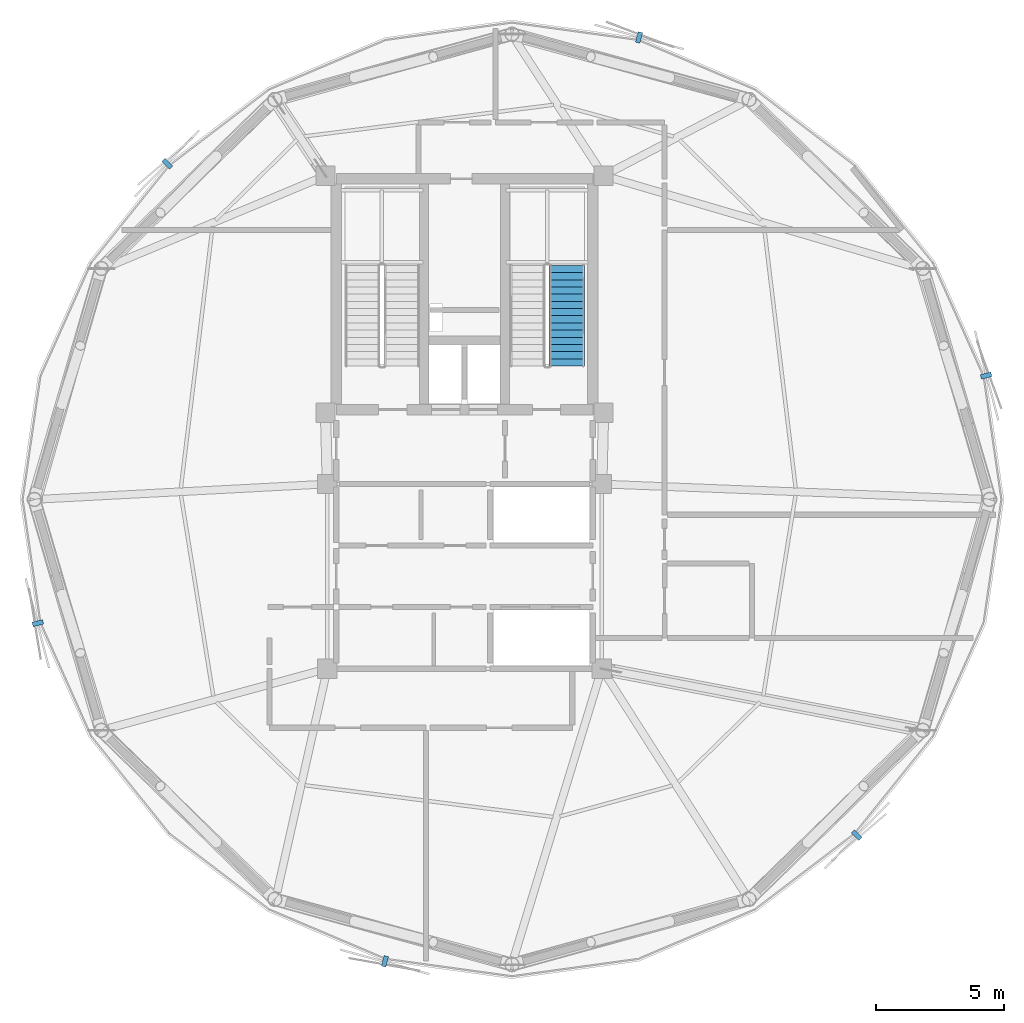
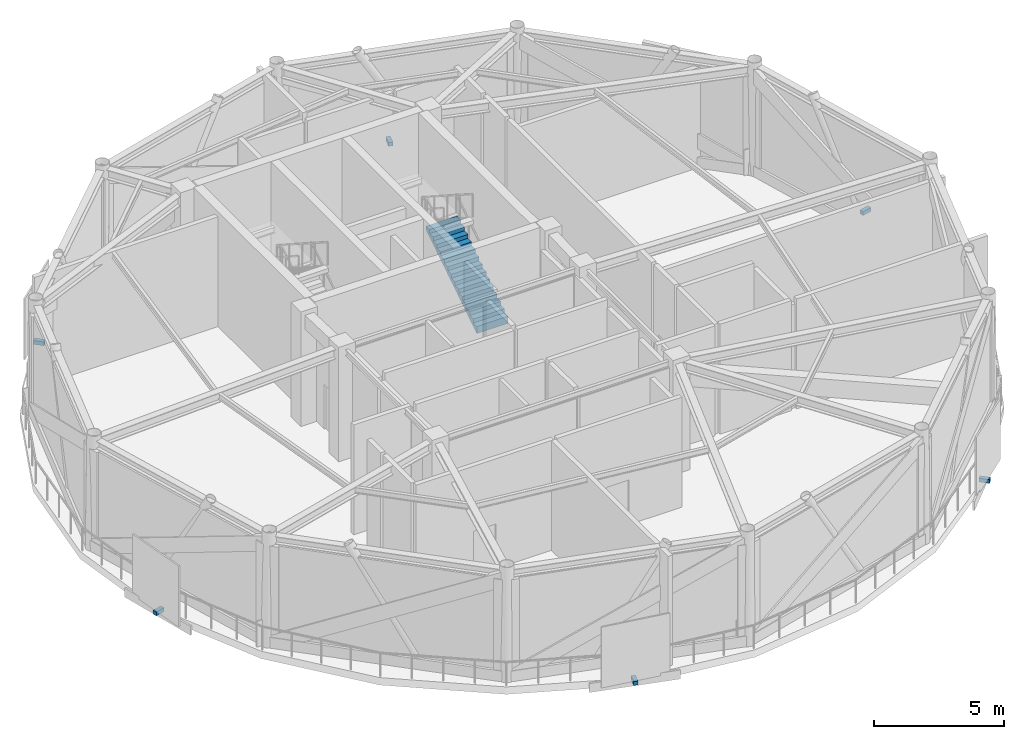
# One storey, part 5 of 10: 6 discrete accessories, 1 stair flight, 1 element without a shape of its own.
"""IFC4 building model written with IfcOpenShell, lengths in metres."""

from ifc_helpers import new_model, si_unit, direction, frame, origin, origin_2d, place, context, subcontext, project, spatial, polyline, rectangle, outline, extrude, source, transform, mapped, material, type_object, type_shapes, element, aggregate, save


model = new_model("IFC4")

# Units and contexts
model_context = context("Model", 3, precision=1e-05, world=origin(), true_north=direction((0.0, 1.0)))
body_context = subcontext(model_context, "Body", "Model", "MODEL_VIEW")
ifc_project = project(units=[si_unit("LENGTHUNIT", "METRE"), si_unit("AREAUNIT", "SQUARE_METRE"), si_unit("VOLUMEUNIT", "CUBIC_METRE"), si_unit("PLANEANGLEUNIT", "RADIAN"), si_unit("MASSUNIT", "GRAM", prefix="KILO")], contexts=[model_context])

# Site, building, storey
site_placement = place(None, origin())
site = spatial("IfcSite", under=ifc_project, at=site_placement, CompositionType="ELEMENT")
building_placement = place(site_placement, origin())
building = spatial("IfcBuilding", under=site, at=building_placement, Name="Varnakorn Sky Granary", CompositionType="ELEMENT")
storey_placement = place(building_placement, frame((0.0, 0.0, 240.0)))
storey = spatial("IfcBuildingStorey", under=building, at=storey_placement, Name="L61", CompositionType="ELEMENT", Elevation=240.0)

# Stair, stair flight
ifc_material_1 = material(Name="Concrete C40/50", Category="concrete")
stair_type = type_object("IfcStairType", Name="ST-MAIN-ASSEMBLY", PredefinedType="HALF_TURN_STAIR", material=ifc_material_1)
stair_placement = place(storey_placement, origin())
stair = element("IfcStair", 1, at=stair_placement, inside=storey, type_object=stair_type, Name="L61 Protected Exit Stair ST-2", PredefinedType="HALF_TURN_STAIR")
stair_flight_type = type_object("IfcStairFlightType", Name="ST-MAIN-FLIGHT", PredefinedType="STRAIGHT", material=ifc_material_1)
stair_flight_placement = place(storey_placement, frame((6.989990234375, 5.199951171875, 0.0), z_axis=(0.0, 0.0, 1.0), x_axis=(0.0, 1.0, 0.0)))
stair_flight = element("IfcStairFlight", 2, at=stair_flight_placement, type_object=stair_flight_type, Name="ST-2 flight 1", NumberOfRisers=15, NumberOfTreads=14, PredefinedType="STRAIGHT", RiserHeight=0.18, TreadLength=0.28, context=body_context, shape_type="SweptSolid", body=[
    extrude(outline(polyline([(0.0, -0.14990234375), (0.0, 0.0), (0.0, 0.179931640625), (0.280029296875, 0.179931640625), (0.280029296875, 0.360107421875), (0.56005859375, 0.360107421875), (0.56005859375, 0.5400390625), (0.840087890625, 0.5400390625), (0.840087890625, 0.719970703125), (1.1201171875, 0.719970703125), (1.1201171875, 0.89990234375), (1.39990234375, 0.89990234375), (1.39990234375, 1.080078125), (1.679931640625, 1.080078125), (1.679931640625, 1.260009765625), (1.9599609375, 1.260009765625), (1.9599609375, 1.43994140625), (2.239990234375, 1.43994140625), (2.239990234375, 1.6201171875), (2.52001953125, 1.6201171875), (2.52001953125, 1.800048828125), (2.800048828125, 1.800048828125), (2.800048828125, 1.97998046875), (3.080078125, 1.97998046875), (3.080078125, 2.159912109375), (3.360107421875, 2.159912109375), (3.360107421875, 2.340087890625), (3.639892578125, 2.340087890625), (3.639892578125, 2.52001953125), (3.919921875, 2.52001953125), (3.919921875, 2.699951171875), (3.919921875, 2.341796875), (0.050048828125, -0.14990234375), (0.0, -0.14990234375)])), frame((0.0, 0.68994140625, 0.0), z_axis=(0.0, -1.0, 0.0), x_axis=(1.0, 0.0, 0.0)), (0.0, 0.0, 1.0), 1.3798828125),
])
aggregate(stair, [stair_flight])

# Discrete accessories
ifc_material_2 = material(Name="Steel S355JR", Category="steel")
discrete_accessory_type = type_object("IfcDiscreteAccessoryType", Name="AC-BRK-01", PredefinedType="BRACKET", material=ifc_material_2)
shared_shape = source(origin(), body_context, "Body", "SweptSolid", [
    extrude(rectangle(XDim=0.179931640625, YDim=0.419921875, at=origin_2d()), origin(), (0.0, 0.0, 1.0), 0.179931640625),
])
type_shapes(discrete_accessory_type, [shared_shape])
for number, where, z_axis, x_axis, name in (
    (3, (23.333984375, 4.824951171875, -0.2001953125), (0.0, 0.0, 1.0), (-0.252567284053, 0.967579333712, 0.0), "Facade Solar-Screen Outrigger Bracket L61-01"),
    (4, (9.803466796875, 18.009521484375, -0.2001953125), (0.0, 0.0, 1.0), (-0.96419292417, 0.265201819339, 0.0), "Facade Solar-Screen Outrigger Bracket L61-03"),
    (5, (-8.5869140625, 13.08740234375, -0.2001953125), (0.0, 0.0, 1.0), (-0.697730689714, -0.716360164045, 0.0), "Facade Solar-Screen Outrigger Bracket L61-05"),
    (6, (-13.634033203125, -4.824951171875, -0.2001953125), (0.0, 0.0, 1.0), (0.252567284053, -0.967579333712, 0.0), "Facade Solar-Screen Outrigger Bracket L61-07"),
    (7, (-0.103515625, -18.009521484375, -0.2001953125), (0.0, 0.0, 1.0), (0.96419292417, -0.265201819339, 0.0), "Facade Solar-Screen Outrigger Bracket L61-09"),
    (8, (18.286865234375, -13.08740234375, -0.2001953125), (0.0, 0.0, 1.0), (0.697730689714, 0.716360164045, 0.0), "Facade Solar-Screen Outrigger Bracket L61-11"),
):
    element("IfcDiscreteAccessory", number, at=place(storey_placement, frame(where, z_axis=z_axis, x_axis=x_axis)), inside=storey, type_object=discrete_accessory_type, Name=name, PredefinedType="BRACKET", context=body_context, shape_type="MappedRepresentation", body=[
        mapped(shared_shape, transform((0.0, 0.0, 0.0), x_axis=(1.0, 0.0, 0.0), y_axis=(0.0, 1.0, 0.0), z_axis=(0.0, 0.0, 1.0), scale=1.0)),
    ])

save(model, "model.ifc")
